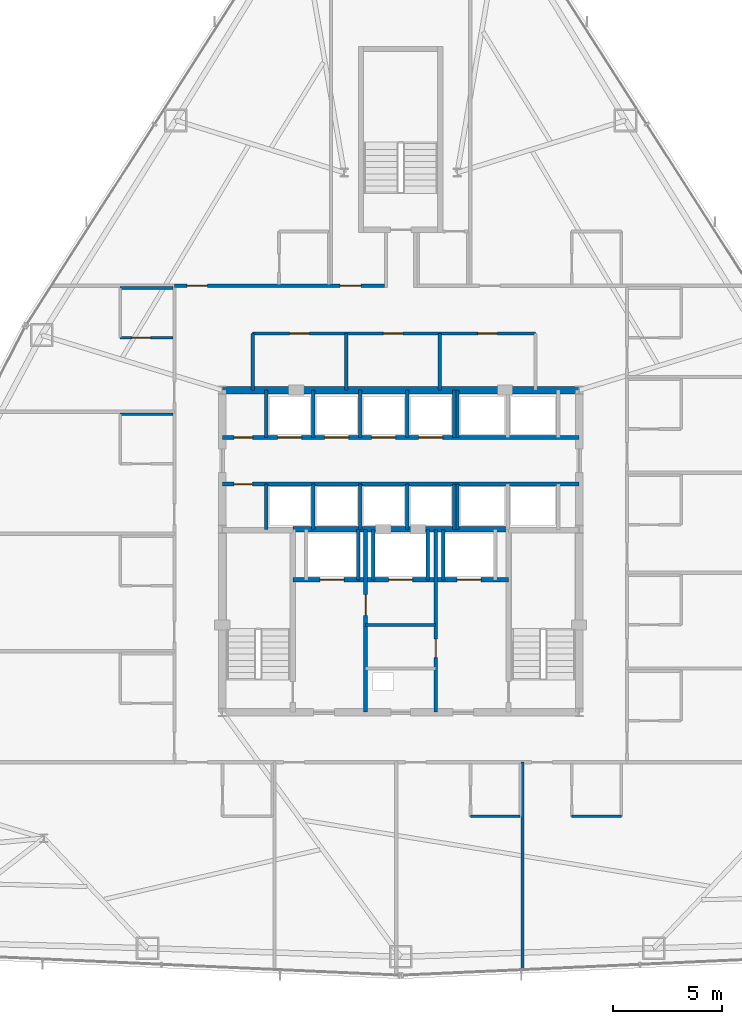
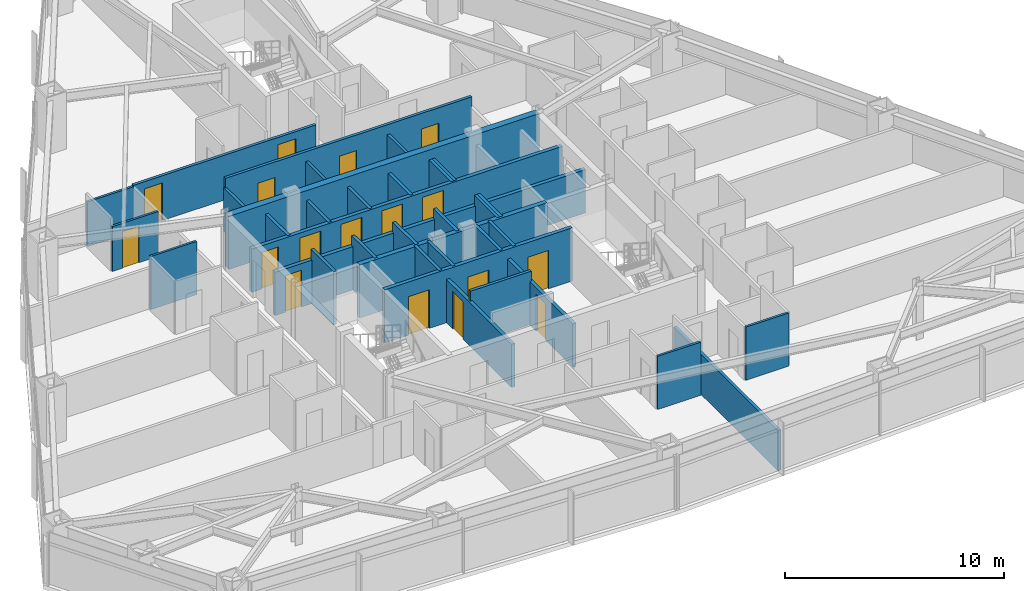
# One storey, part 10 of 13: 35 walls, 17 doors, 17 openings.
"""IFC4 building model written with IfcOpenShell, lengths in metres."""

from ifc_helpers import new_model, si_unit, direction, frame, frame_2d, origin, place, context, subcontext, project, spatial, rectangle, extrude, material, layer, layer_set, type_object, element, fill, save


model = new_model("IFC4")

# Units and contexts
model_context = context("Model", 3, precision=1e-05, world=origin(), true_north=direction((0.0, 1.0)))
body_context = subcontext(model_context, "Body", "Model", "MODEL_VIEW")
ifc_project = project(units=[si_unit("LENGTHUNIT", "METRE"), si_unit("AREAUNIT", "SQUARE_METRE"), si_unit("VOLUMEUNIT", "CUBIC_METRE"), si_unit("PLANEANGLEUNIT", "RADIAN"), si_unit("MASSUNIT", "GRAM", prefix="KILO")], contexts=[model_context])

# Site, building, storey
site_placement = place(None, origin())
site = spatial("IfcSite", under=ifc_project, at=site_placement, CompositionType="ELEMENT")
building_placement = place(site_placement, origin())
building = spatial("IfcBuilding", under=site, at=building_placement, Name="Varakhsha Concourse Tower", CompositionType="ELEMENT")
storey_placement = place(building_placement, frame((0.0, 0.0, 86.199951171875)))
storey = spatial("IfcBuildingStorey", under=building, at=storey_placement, Name="L24", CompositionType="ELEMENT", Elevation=86.199951171875)

# Wall
ifc_material_1 = material(Name="Concrete fc 65 MPa", Category="concrete")
ifc_layer_1 = layer(ifc_material_1, 0.35009765625, Name="WL-CORE-350")
ifc_layer_set_1 = layer_set([ifc_layer_1], Name="Concrete fc 65 MPa")
wall_type_1 = type_object("IfcWallType", Name="WL-CORE-350", PredefinedType="SHEAR", material=ifc_layer_set_1)
wall_1_placement = place(storey_placement, frame((31.800048828125, 31.199951171875, 0.0), z_axis=(0.0, 0.0, 1.0), x_axis=(1.0, 0.0, 0.0)))
element("IfcWall", 1, at=wall_1_placement, inside=storey, type_object=wall_type_1, Name="L24 Wall CWALL-N-L24", PredefinedType="SHEAR", context=body_context, shape_type="SweptSolid", body=[
    extrude(rectangle(XDim=16.39990234375, YDim=0.35009765625, at=frame_2d((8.199951171875, 0.0))), origin(), (0.0, 0.0, 1.0), 2.969970703125),
])

# Wall, opening, door
ifc_material_2 = material(Name="Fire-Rated Type X Gypsum Partition Assembly", Category="gypsum")
ifc_layer_2 = layer(ifc_material_2, 0.179931640625, Name="WL-FFLOB-180")
ifc_layer_set_2 = layer_set([ifc_layer_2], Name="Fire-Rated Type X Gypsum Partition Assembly")
wall_type_2 = type_object("IfcWallType", Name="WL-FFLOB-180", PredefinedType="PARTITIONING", material=ifc_layer_set_2)
wall_2_placement = place(storey_placement, frame((38.389892578125, 16.39990234375, 0.0), z_axis=(0.0, 0.0, 1.0), x_axis=(0.0, 1.0, 0.0)))
wall_2 = element("IfcWall", 2, at=wall_2_placement, inside=storey, type_object=wall_type_2, Name="L24 Wall FFW-1E-L24", PredefinedType="PARTITIONING", context=body_context, shape_type="SweptSolid", body=[
    extrude(rectangle(XDim=8.400146484375, YDim=0.179931640625, at=frame_2d((4.2001953125, 0.0))), origin(), (0.0, 0.0, 1.0), 2.421142578125),
])
opening_1_placement = place(wall_2_placement, frame((4.449951171875, 0.0, 0.0)))
opening_1 = element("IfcOpeningElement", 3, at=opening_1_placement, cuts=wall_2, Name="Opening DF-05", PredefinedType="OPENING", context=body_context, shape_type="SweptSolid", body=[
    extrude(rectangle(XDim=0.949951171875, YDim=2.10009765625, at=frame_2d((0.47509765625, 1.050048828125))), frame((0.0, 0.099853515625, 0.0), z_axis=(0.0, -1.0, 0.0), x_axis=(1.0, 0.0, 0.0)), (0.0, 0.0, 1.0), 0.199951171875),
])
ifc_material_3 = material(Name="Hollow Galvanised Steel Fire Door Assembly", Category="steel")
door_type_1 = type_object("IfcDoorType", Name="DR-FD60-950", OperationType="NOTDEFINED", PredefinedType="DOOR", material=ifc_material_3)
door_1_placement = place(opening_1_placement, origin())
door_1 = element("IfcDoor", 4, at=door_1_placement, inside=storey, type_object=door_type_1, Name="L24 Service Vestibule Door", OperationType="SINGLE_SWING_RIGHT", OverallHeight=2.10009765625, OverallWidth=0.949951171875, PredefinedType="DOOR", context=body_context, shape_type="SweptSolid", body=[
    extrude(rectangle(XDim=0.949951171875, YDim=2.10009765625, at=frame_2d((0.47509765625, 1.050048828125))), frame((0.0, 0.02490234375, 0.0), z_axis=(0.0, -1.0, 0.0), x_axis=(1.0, 0.0, 0.0)), (0.0, 0.0, 1.0), 0.050048828125),
])
fill(opening_1, door_1)

wall_3_placement = place(storey_placement, frame((41.610107421875, 16.39990234375, 0.0), z_axis=(0.0, 0.0, 1.0), x_axis=(0.0, 1.0, 0.0)))
wall_3 = element("IfcWall", 5, at=wall_3_placement, inside=storey, type_object=wall_type_2, Name="L24 Wall FFW-2W-L24", PredefinedType="PARTITIONING", context=body_context, shape_type="SweptSolid", body=[
    extrude(rectangle(XDim=8.400146484375, YDim=0.179931640625, at=frame_2d((4.2001953125, 0.0))), origin(), (0.0, 0.0, 1.0), 2.421142578125),
])
opening_2_placement = place(wall_3_placement, frame((2.5, 0.0, 0.0)))
opening_2 = element("IfcOpeningElement", 6, at=opening_2_placement, cuts=wall_3, Name="Opening DF-07", PredefinedType="OPENING", context=body_context, shape_type="SweptSolid", body=[
    extrude(rectangle(XDim=0.85009765625, YDim=2.050048828125, at=frame_2d((0.425048828125, 1.02490234375))), frame((0.0, 0.099853515625, 0.0), z_axis=(0.0, -1.0, 0.0), x_axis=(1.0, 0.0, 0.0)), (0.0, 0.0, 1.0), 0.199951171875),
])
door_type_2 = type_object("IfcDoorType", Name="DR-FD60-850", OperationType="NOTDEFINED", PredefinedType="DOOR", material=ifc_material_3)
door_2_placement = place(opening_2_placement, origin())
door_2 = element("IfcDoor", 7, at=door_2_placement, inside=storey, type_object=door_type_2, Name="L24 Telecoms Node Door", OperationType="SINGLE_SWING_LEFT", OverallHeight=2.050048828125, OverallWidth=0.85009765625, PredefinedType="DOOR", context=body_context, shape_type="SweptSolid", body=[
    extrude(rectangle(XDim=0.85009765625, YDim=2.050048828125, at=frame_2d((0.425048828125, 1.02490234375))), frame((0.0, 0.02490234375, 0.0), z_axis=(0.0, -1.0, 0.0), x_axis=(1.0, 0.0, 0.0)), (0.0, 0.0, 1.0), 0.050048828125),
])
fill(opening_2, door_2)

# Walls
ifc_material_4 = material(Name="Acoustic Gypsum Board Partition Assembly", Category="gypsum")
ifc_layer_3 = layer(ifc_material_4, 0.1201171875, Name="WL-PART-120")
ifc_layer_set_3 = layer_set([ifc_layer_3], Name="Acoustic Gypsum Board Partition Assembly")
wall_type_3 = type_object("IfcWallType", Name="WL-PART-120", PredefinedType="PARTITIONING", material=ifc_layer_set_3)
wall_4_placement = place(storey_placement, frame((43.2099609375, 11.610107421875, 0.0), z_axis=(0.0, 0.0, 1.0), x_axis=(1.0, 0.0, 0.0)))
element("IfcWall", 8, at=wall_4_placement, inside=storey, type_object=wall_type_3, Name="L24 Wall ENSW-S-L24-H03", PredefinedType="PARTITIONING", context=body_context, shape_type="SweptSolid", body=[
    extrude(rectangle(XDim=2.280029296875, YDim=0.1201171875, at=frame_2d((1.14013671875, 0.0))), origin(), (0.0, 0.0, 1.0), 2.969970703125),
])
wall_5_placement = place(storey_placement, frame((47.860107421875, 11.610107421875, 0.0), z_axis=(0.0, 0.0, 1.0), x_axis=(1.0, 0.0, 0.0)))
element("IfcWall", 9, at=wall_5_placement, inside=storey, type_object=wall_type_3, Name="L24 Wall ENSW-S-L24-H04", PredefinedType="PARTITIONING", context=body_context, shape_type="SweptSolid", body=[
    extrude(rectangle(XDim=2.27978515625, YDim=0.1201171875, at=frame_2d((1.139892578125, 0.0))), origin(), (0.0, 0.0, 1.0), 2.969970703125),
])
wall_6_placement = place(storey_placement, frame((27.110107421875, 30.090087890625, 0.0), z_axis=(0.0, 0.0, 1.0), x_axis=(1.0, 0.0, 0.0)))
element("IfcWall", 10, at=wall_6_placement, inside=storey, type_object=wall_type_3, Name="L24 Wall ENSW-N-L24-H07", PredefinedType="PARTITIONING", context=body_context, shape_type="SweptSolid", body=[
    extrude(rectangle(XDim=2.429931640625, YDim=0.1201171875, at=frame_2d((1.21484375, 0.0))), origin(), (0.0, 0.0, 1.0), 2.969970703125),
])

# Wall, opening, door
wall_7_placement = place(storey_placement, frame((27.110107421875, 33.610107421875, 0.0), z_axis=(0.0, 0.0, 1.0), x_axis=(1.0, 0.0, 0.0)))
wall_7 = element("IfcWall", 11, at=wall_7_placement, inside=storey, type_object=wall_type_3, Name="L24 Wall ENSW-S-L24-H08", PredefinedType="PARTITIONING", context=body_context, shape_type="SweptSolid", body=[
    extrude(rectangle(XDim=2.429931640625, YDim=0.1201171875, at=frame_2d((1.21484375, 0.0))), origin(), (0.0, 0.0, 1.0), 2.5029296875),
])
opening_3_placement = place(wall_7_placement, frame((0.550048828125, 0.0, 0.0)))
opening_3 = element("IfcOpeningElement", 12, at=opening_3_placement, cuts=wall_7, Name="Opening DI-01", PredefinedType="OPENING", context=body_context, shape_type="SweptSolid", body=[
    extrude(rectangle(XDim=0.85009765625, YDim=2.050048828125, at=frame_2d((0.425048828125, 1.02490234375))), frame((0.0, 0.070068359375, 0.0), z_axis=(0.0, -1.0, 0.0), x_axis=(1.0, 0.0, 0.0)), (0.0, 0.0, 1.0), 0.14013671875),
])
ifc_material_5 = material(Name="Architectural Walnut Acoustic Timber Door", Category="wood")
door_type_3 = type_object("IfcDoorType", Name="DR-INT-850", OperationType="NOTDEFINED", PredefinedType="DOOR", material=ifc_material_5)
door_3_placement = place(opening_3_placement, origin())
door_3 = element("IfcDoor", 13, at=door_3_placement, inside=storey, type_object=door_type_3, Name="L24 En-suite Bathroom Door L24-H08", OperationType="SINGLE_SWING_RIGHT", OverallHeight=2.050048828125, OverallWidth=0.85009765625, PredefinedType="DOOR", context=body_context, shape_type="SweptSolid", body=[
    extrude(rectangle(XDim=0.85009765625, YDim=2.050048828125, at=frame_2d((0.425048828125, 1.02490234375))), frame((0.0, 0.02490234375, 0.0), z_axis=(0.0, -1.0, 0.0), x_axis=(1.0, 0.0, 0.0)), (0.0, 0.0, 1.0), 0.050048828125),
])
fill(opening_3, door_3)

# Walls
wall_8_placement = place(storey_placement, frame((27.110107421875, 35.889892578125, 0.0), z_axis=(0.0, 0.0, 1.0), x_axis=(1.0, 0.0, 0.0)))
element("IfcWall", 14, at=wall_8_placement, inside=storey, type_object=wall_type_3, Name="L24 Wall ENSW-N-L24-H08", PredefinedType="PARTITIONING", context=body_context, shape_type="SweptSolid", body=[
    extrude(rectangle(XDim=2.429931640625, YDim=0.1201171875, at=frame_2d((1.21484375, 0.0))), origin(), (0.0, 0.0, 1.0), 2.5029296875),
])
ifc_layer_4 = layer(ifc_material_2, 0.14990234375, Name="WL-PART-150")
ifc_layer_set_4 = layer_set([ifc_layer_4], Name="Fire-Rated Type X Gypsum Partition Assembly")
wall_type_4 = type_object("IfcWallType", Name="WL-PART-150", PredefinedType="PARTITIONING", material=ifc_layer_set_4)
wall_9_placement = place(storey_placement, frame((38.389892578125, 20.39990234375, 0.0), z_axis=(0.0, 0.0, 1.0), x_axis=(1.0, 0.0, 0.0)))
element("IfcWall", 15, at=wall_9_placement, inside=storey, type_object=wall_type_4, Name="L24 Wall RSW-H2-L24", PredefinedType="PARTITIONING", context=body_context, shape_type="SweptSolid", body=[
    extrude(rectangle(XDim=3.22021484375, YDim=0.14990234375, at=frame_2d((1.610107421875, 0.0))), origin(), (0.0, 0.0, 1.0), 2.969970703125),
])

# Wall, openings, doors
wall_10_placement = place(storey_placement, frame((33.199951171875, 33.800048828125, 0.0), z_axis=(0.0, 0.0, 1.0), x_axis=(1.0, 0.0, 0.0)))
wall_10 = element("IfcWall", 16, at=wall_10_placement, inside=storey, type_object=wall_type_4, Name="L24 Wall NBOH-N-L24", PredefinedType="PARTITIONING", context=body_context, shape_type="SweptSolid", body=[
    extrude(rectangle(XDim=13.0, YDim=0.14990234375, at=frame_2d((6.5, 0.0))), origin(), (0.0, 0.0, 1.0), 2.969970703125),
])
opening_4_placement = place(wall_10_placement, frame((1.699951171875, 0.0, 0.0)))
opening_4 = element("IfcOpeningElement", 17, at=opening_4_placement, cuts=wall_10, Name="Opening DF-06", PredefinedType="OPENING", context=body_context, shape_type="SweptSolid", body=[
    extrude(rectangle(XDim=0.89990234375, YDim=2.10009765625, at=frame_2d((0.449951171875, 1.050048828125))), frame((0.0, 0.0849609375, 0.0), z_axis=(0.0, -1.0, 0.0), x_axis=(1.0, 0.0, 0.0)), (0.0, 0.0, 1.0), 0.169921875),
])
opening_5_placement = place(wall_10_placement, frame((6.0, 0.0, 0.0)))
opening_5 = element("IfcOpeningElement", 18, at=opening_5_placement, cuts=wall_10, Name="Opening DF-06", PredefinedType="OPENING", context=body_context, shape_type="SweptSolid", body=[
    extrude(rectangle(XDim=0.89990234375, YDim=2.10009765625, at=frame_2d((0.449951171875, 1.050048828125))), frame((0.0, 0.0849609375, 0.0), z_axis=(0.0, -1.0, 0.0), x_axis=(1.0, 0.0, 0.0)), (0.0, 0.0, 1.0), 0.169921875),
])
opening_6_placement = place(wall_10_placement, frame((10.35009765625, 0.0, 0.0)))
opening_6 = element("IfcOpeningElement", 19, at=opening_6_placement, cuts=wall_10, Name="Opening DF-06", PredefinedType="OPENING", context=body_context, shape_type="SweptSolid", body=[
    extrude(rectangle(XDim=0.89990234375, YDim=2.10009765625, at=frame_2d((0.449951171875, 1.050048828125))), frame((0.0, 0.0849609375, 0.0), z_axis=(0.0, -1.0, 0.0), x_axis=(1.0, 0.0, 0.0)), (0.0, 0.0, 1.0), 0.169921875),
])
door_type_4 = type_object("IfcDoorType", Name="DR-FD60-900", OperationType="NOTDEFINED", PredefinedType="DOOR", material=ifc_material_3)
door_4_placement = place(opening_4_placement, origin())
door_4 = element("IfcDoor", 20, at=door_4_placement, inside=storey, type_object=door_type_4, Name="L24 Housekeeping and Linen Room Door", OperationType="SINGLE_SWING_LEFT", OverallHeight=2.10009765625, OverallWidth=0.89990234375, PredefinedType="DOOR", context=body_context, shape_type="SweptSolid", body=[
    extrude(rectangle(XDim=0.89990234375, YDim=2.10009765625, at=frame_2d((0.449951171875, 1.050048828125))), frame((0.0, 0.02490234375, 0.0), z_axis=(0.0, -1.0, 0.0), x_axis=(1.0, 0.0, 0.0)), (0.0, 0.0, 1.0), 0.050048828125),
])
fill(opening_4, door_4)
door_5_placement = place(opening_5_placement, origin())
door_5 = element("IfcDoor", 21, at=door_5_placement, inside=storey, type_object=door_type_4, Name="L24 Accessible WC Door", OperationType="SINGLE_SWING_RIGHT", OverallHeight=2.10009765625, OverallWidth=0.89990234375, PredefinedType="DOOR", context=body_context, shape_type="SweptSolid", body=[
    extrude(rectangle(XDim=0.89990234375, YDim=2.10009765625, at=frame_2d((0.449951171875, 1.050048828125))), frame((0.0, 0.02490234375, 0.0), z_axis=(0.0, -1.0, 0.0), x_axis=(1.0, 0.0, 0.0)), (0.0, 0.0, 1.0), 0.050048828125),
])
fill(opening_5, door_5)
door_6_placement = place(opening_6_placement, origin())
door_6 = element("IfcDoor", 22, at=door_6_placement, inside=storey, type_object=door_type_4, Name="L24 Staff Restroom WC Door", OperationType="SINGLE_SWING_LEFT", OverallHeight=2.10009765625, OverallWidth=0.89990234375, PredefinedType="DOOR", context=body_context, shape_type="SweptSolid", body=[
    extrude(rectangle(XDim=0.89990234375, YDim=2.10009765625, at=frame_2d((0.449951171875, 1.050048828125))), frame((0.0, 0.02490234375, 0.0), z_axis=(0.0, -1.0, 0.0), x_axis=(1.0, 0.0, 0.0)), (0.0, 0.0, 1.0), 0.050048828125),
])
fill(opening_6, door_6)

# Walls
for number, where, z_axis, x_axis, name in (
    (23, (33.199951171875, 31.199951171875, 0.0), (0.0, 0.0, 1.0), (0.0, 1.0, 0.0), "L24 Wall NBOH-W-L24"),
    (24, (37.5, 31.199951171875, 0.0), (0.0, 0.0, 1.0), (0.0, 1.0, 0.0), "L24 Wall NBOH-D1-L24"),
    (25, (41.800048828125, 31.199951171875, 0.0), (0.0, 0.0, 1.0), (0.0, 1.0, 0.0), "L24 Wall NBOH-D2-L24"),
):
    element("IfcWall", number, at=place(storey_placement, frame(where, z_axis=z_axis, x_axis=x_axis)), inside=storey, type_object=wall_type_4, Name=name, PredefinedType="PARTITIONING", context=body_context, shape_type="SweptSolid", body=[
        extrude(rectangle(XDim=2.60009765625, YDim=0.14990234375, at=frame_2d((1.300048828125, 0.0))), origin(), (0.0, 0.0, 1.0), 2.421142578125),
    ])

# Wall, openings, doors
wall_11_placement = place(storey_placement, frame((29.60009765625, 36.0, 0.0), z_axis=(0.0, 0.0, 1.0), x_axis=(1.0, 0.0, 0.0)))
wall_11 = element("IfcWall", 26, at=wall_11_placement, inside=storey, type_object=wall_type_4, Name="L24 Wall CRW-N-L24", PredefinedType="PARTITIONING", context=body_context, shape_type="SweptSolid", body=[
    extrude(rectangle(XDim=9.64990234375, YDim=0.14990234375, at=frame_2d((4.824951171875, 0.0))), origin(), (0.0, 0.0, 1.0), 2.5029296875),
])
opening_7_placement = place(wall_11_placement, frame((0.570068359375, 0.0, 0.0)))
opening_7 = element("IfcOpeningElement", 27, at=opening_7_placement, cuts=wall_11, Name="Opening DF-05", PredefinedType="OPENING", context=body_context, shape_type="SweptSolid", body=[
    extrude(rectangle(XDim=0.949951171875, YDim=2.10009765625, at=frame_2d((0.47509765625, 1.050048828125))), frame((0.0, 0.0849609375, 0.0), z_axis=(0.0, -1.0, 0.0), x_axis=(1.0, 0.0, 0.0)), (0.0, 0.0, 1.0), 0.169921875),
])
opening_8_placement = place(wall_11_placement, frame((7.6201171875, 0.0, 0.0)))
opening_8 = element("IfcOpeningElement", 28, at=opening_8_placement, cuts=wall_11, Name="Opening DF-05", PredefinedType="OPENING", context=body_context, shape_type="SweptSolid", body=[
    extrude(rectangle(XDim=0.949951171875, YDim=2.10009765625, at=frame_2d((0.47509765625, 1.050048828125))), frame((0.0, 0.0849609375, 0.0), z_axis=(0.0, -1.0, 0.0), x_axis=(1.0, 0.0, 0.0)), (0.0, 0.0, 1.0), 0.169921875),
])
door_7_placement = place(opening_7_placement, origin())
door_7 = element("IfcDoor", 29, at=door_7_placement, inside=storey, type_object=door_type_1, Name="L24 Hotel Corner Suite L24-H14 Entry Door", OperationType="SINGLE_SWING_RIGHT", OverallHeight=2.10009765625, OverallWidth=0.949951171875, PredefinedType="DOOR", context=body_context, shape_type="SweptSolid", body=[
    extrude(rectangle(XDim=0.949951171875, YDim=2.10009765625, at=frame_2d((0.47509765625, 1.050048828125))), frame((0.0, 0.02490234375, 0.0), z_axis=(0.0, -1.0, 0.0), x_axis=(1.0, 0.0, 0.0)), (0.0, 0.0, 1.0), 0.050048828125),
])
fill(opening_7, door_7)
door_8_placement = place(opening_8_placement, origin())
door_8 = element("IfcDoor", 30, at=door_8_placement, inside=storey, type_object=door_type_1, Name="L24 Hotel Corner Suite L24-H15 Entry Door", OperationType="SINGLE_SWING_LEFT", OverallHeight=2.10009765625, OverallWidth=0.949951171875, PredefinedType="DOOR", context=body_context, shape_type="SweptSolid", body=[
    extrude(rectangle(XDim=0.949951171875, YDim=2.10009765625, at=frame_2d((0.47509765625, 1.050048828125))), frame((0.0, 0.02490234375, 0.0), z_axis=(0.0, -1.0, 0.0), x_axis=(1.0, 0.0, 0.0)), (0.0, 0.0, 1.0), 0.050048828125),
])
fill(opening_8, door_8)

# Wall
wall_12_placement = place(storey_placement, frame((45.60009765625, 4.559326171875, 0.0), z_axis=(0.0, 0.0, 1.0), x_axis=(0.0, 1.0, 0.0)))
element("IfcWall", 31, at=wall_12_placement, inside=storey, type_object=wall_type_4, Name="L24 Wall HDIV-S3-L24", PredefinedType="PARTITIONING", context=body_context, shape_type="SweptSolid", body=[
    extrude(rectangle(XDim=9.540771484375, YDim=0.14990234375, at=frame_2d((4.7705078125, 0.0))), origin(), (0.0, 0.0, 1.0), 2.258056640625),
])

# Wall, openings, doors
ifc_layer_5 = layer(ifc_material_2, 0.199951171875, Name="WL-SHAFT-220")
ifc_layer_set_5 = layer_set([ifc_layer_5], Name="Fire-Rated Type X Gypsum Partition Assembly")
wall_type_5 = type_object("IfcWallType", Name="WL-SHAFT-220", PredefinedType="SOLIDWALL", material=ifc_layer_set_5)
wall_13_placement = place(storey_placement, frame((35.044921875, 22.47998046875, 0.0), z_axis=(0.0, 0.0, 1.0), x_axis=(1.0, 0.0, 0.0)))
wall_13 = element("IfcWall", 32, at=wall_13_placement, inside=storey, type_object=wall_type_5, Name="L24 Wall FFW-NH-L24", PredefinedType="SOLIDWALL", context=body_context, shape_type="SweptSolid", body=[
    extrude(rectangle(XDim=9.91015625, YDim=0.199951171875, at=frame_2d((4.955078125, 0.0))), origin(), (0.0, 0.0, 1.0), 2.969970703125),
])
opening_9_placement = place(wall_13_placement, frame((1.2548828125, 0.0, 0.0)))
opening_9 = element("IfcOpeningElement", 33, at=opening_9_placement, cuts=wall_13, Name="Opening LD-FFL-1", PredefinedType="OPENING", context=body_context, shape_type="SweptSolid", body=[
    extrude(rectangle(XDim=1.10009765625, YDim=2.14990234375, at=frame_2d((0.550048828125, 1.074951171875))), frame((0.0, 0.10986328125, 0.0), z_axis=(0.0, -1.0, 0.0), x_axis=(1.0, 0.0, 0.0)), (0.0, 0.0, 1.0), 0.219970703125),
])
opening_10_placement = place(wall_13_placement, frame((7.554931640625, 0.0, 0.0)))
opening_10 = element("IfcOpeningElement", 34, at=opening_10_placement, cuts=wall_13, Name="Opening LD-FFL-2", PredefinedType="OPENING", context=body_context, shape_type="SweptSolid", body=[
    extrude(rectangle(XDim=1.10009765625, YDim=2.14990234375, at=frame_2d((0.550048828125, 1.074951171875))), frame((0.0, 0.10986328125, 0.0), z_axis=(0.0, -1.0, 0.0), x_axis=(1.0, 0.0, 0.0)), (0.0, 0.0, 1.0), 0.219970703125),
])
opening_11_placement = place(wall_13_placement, frame((4.405029296875, 0.0, 0.0)))
opening_11 = element("IfcOpeningElement", 35, at=opening_11_placement, cuts=wall_13, Name="Opening LD-SVL-1", PredefinedType="OPENING", context=body_context, shape_type="SweptSolid", body=[
    extrude(rectangle(XDim=1.10009765625, YDim=2.14990234375, at=frame_2d((0.550048828125, 1.074951171875))), frame((0.0, 0.10986328125, 0.0), z_axis=(0.0, -1.0, 0.0), x_axis=(1.0, 0.0, 0.0)), (0.0, 0.0, 1.0), 0.219970703125),
])
ifc_material_6 = material(Name="Brushed Austenitic Stainless Steel AISI 316", Category="steel")
door_type_5 = type_object("IfcDoorType", Name="DR-LD-1100", OperationType="DOUBLE_DOOR_SLIDING", PredefinedType="DOOR", material=ifc_material_6)
door_9_placement = place(opening_9_placement, origin())
door_9 = element("IfcDoor", 36, at=door_9_placement, inside=storey, type_object=door_type_5, Name="Lift Landing Door FFL-1 L24", OperationType="DOUBLE_DOOR_SLIDING", OverallHeight=2.14990234375, OverallWidth=1.10009765625, PredefinedType="DOOR", context=body_context, shape_type="SweptSolid", body=[
    extrude(rectangle(XDim=1.10009765625, YDim=2.14990234375, at=frame_2d((0.550048828125, 1.074951171875))), frame((0.0, 0.02490234375, 0.0), z_axis=(0.0, -1.0, 0.0), x_axis=(1.0, 0.0, 0.0)), (0.0, 0.0, 1.0), 0.050048828125),
])
fill(opening_9, door_9)
door_10_placement = place(opening_10_placement, origin())
door_10 = element("IfcDoor", 37, at=door_10_placement, inside=storey, type_object=door_type_5, Name="Lift Landing Door FFL-2 L24", OperationType="DOUBLE_DOOR_SLIDING", OverallHeight=2.14990234375, OverallWidth=1.10009765625, PredefinedType="DOOR", context=body_context, shape_type="SweptSolid", body=[
    extrude(rectangle(XDim=1.10009765625, YDim=2.14990234375, at=frame_2d((0.550048828125, 1.074951171875))), frame((0.0, 0.02490234375, 0.0), z_axis=(0.0, -1.0, 0.0), x_axis=(1.0, 0.0, 0.0)), (0.0, 0.0, 1.0), 0.050048828125),
])
fill(opening_10, door_10)
door_11_placement = place(opening_11_placement, origin())
door_11 = element("IfcDoor", 38, at=door_11_placement, inside=storey, type_object=door_type_5, Name="Lift Landing Door SVL-1 L24", OperationType="DOUBLE_DOOR_SLIDING", OverallHeight=2.14990234375, OverallWidth=1.10009765625, PredefinedType="DOOR", context=body_context, shape_type="SweptSolid", body=[
    extrude(rectangle(XDim=1.10009765625, YDim=2.14990234375, at=frame_2d((0.550048828125, 1.074951171875))), frame((0.0, 0.02490234375, 0.0), z_axis=(0.0, -1.0, 0.0), x_axis=(1.0, 0.0, 0.0)), (0.0, 0.0, 1.0), 0.050048828125),
])
fill(opening_11, door_11)

# Walls
for number, where, z_axis, x_axis, name in (
    (39, (38.050048828125, 22.47998046875, 0.0), (0.0, 0.0, 1.0), (0.0, 1.0, 0.0), "L24 Wall SHW-FFL-1-E-L24"),
    (40, (41.949951171875, 22.47998046875, 0.0), (0.0, 0.0, 1.0), (0.0, 1.0, 0.0), "L24 Wall SHW-FFL-2-W-L24"),
    (41, (38.75, 22.47998046875, 0.0), (0.0, 0.0, 1.0), (0.0, 1.0, 0.0), "L24 Wall SHW-SVL-1-W-L24"),
    (42, (41.25, 22.47998046875, 0.0), (0.0, 0.0, 1.0), (0.0, 1.0, 0.0), "L24 Wall SHW-SVL-1-E-L24"),
):
    element("IfcWall", number, at=place(storey_placement, frame(where, z_axis=z_axis, x_axis=x_axis)), inside=storey, type_object=wall_type_5, Name=name, PredefinedType="SOLIDWALL", context=body_context, shape_type="SweptSolid", body=[
        extrude(rectangle(XDim=2.320068359375, YDim=0.159912109375, at=frame_2d((1.16015625, 0.0))), origin(), (0.0, 0.0, 1.0), 2.969970703125),
    ])

# Wall, openings, doors
wall_14_placement = place(storey_placement, frame((31.800048828125, 29.02001953125, 0.0), z_axis=(0.0, 0.0, 1.0), x_axis=(1.0, 0.0, 0.0)))
wall_14 = element("IfcWall", 43, at=wall_14_placement, inside=storey, type_object=wall_type_5, Name="L24 Wall PLW-N-L24", PredefinedType="SOLIDWALL", context=body_context, shape_type="SweptSolid", body=[
    extrude(rectangle(XDim=16.39990234375, YDim=0.199951171875, at=frame_2d((8.199951171875, 0.0))), origin(), (0.0, 0.0, 1.0), 2.421142578125),
])
opening_12_placement = place(wall_14_placement, frame((0.550048828125, 0.0, 0.0)))
opening_12 = element("IfcOpeningElement", 44, at=opening_12_placement, cuts=wall_14, Name="Opening DF-07", PredefinedType="OPENING", context=body_context, shape_type="SweptSolid", body=[
    extrude(rectangle(XDim=0.85009765625, YDim=2.050048828125, at=frame_2d((0.425048828125, 1.02490234375))), frame((0.0, 0.10986328125, 0.0), z_axis=(0.0, -1.0, 0.0), x_axis=(1.0, 0.0, 0.0)), (0.0, 0.0, 1.0), 0.219970703125),
])
opening_13_placement = place(wall_14_placement, frame((2.550048828125, 0.0, 0.0)))
opening_13 = element("IfcOpeningElement", 45, at=opening_13_placement, cuts=wall_14, Name="Opening LD-LF-P01", PredefinedType="OPENING", context=body_context, shape_type="SweptSolid", body=[
    extrude(rectangle(XDim=1.10009765625, YDim=2.14990234375, at=frame_2d((0.550048828125, 1.074951171875))), frame((0.0, 0.10986328125, 0.0), z_axis=(0.0, -1.0, 0.0), x_axis=(1.0, 0.0, 0.0)), (0.0, 0.0, 1.0), 0.219970703125),
])
opening_14_placement = place(wall_14_placement, frame((4.7099609375, 0.0, 0.0)))
opening_14 = element("IfcOpeningElement", 46, at=opening_14_placement, cuts=wall_14, Name="Opening LD-LF-P02", PredefinedType="OPENING", context=body_context, shape_type="SweptSolid", body=[
    extrude(rectangle(XDim=1.10009765625, YDim=2.14990234375, at=frame_2d((0.550048828125, 1.074951171875))), frame((0.0, 0.10986328125, 0.0), z_axis=(0.0, -1.0, 0.0), x_axis=(1.0, 0.0, 0.0)), (0.0, 0.0, 1.0), 0.219970703125),
])
opening_15_placement = place(wall_14_placement, frame((6.8701171875, 0.0, 0.0)))
opening_15 = element("IfcOpeningElement", 47, at=opening_15_placement, cuts=wall_14, Name="Opening LD-LF-P03", PredefinedType="OPENING", context=body_context, shape_type="SweptSolid", body=[
    extrude(rectangle(XDim=1.10009765625, YDim=2.14990234375, at=frame_2d((0.550048828125, 1.074951171875))), frame((0.0, 0.10986328125, 0.0), z_axis=(0.0, -1.0, 0.0), x_axis=(1.0, 0.0, 0.0)), (0.0, 0.0, 1.0), 0.219970703125),
])
opening_16_placement = place(wall_14_placement, frame((9.030029296875, 0.0, 0.0)))
opening_16 = element("IfcOpeningElement", 48, at=opening_16_placement, cuts=wall_14, Name="Opening LD-LF-P04", PredefinedType="OPENING", context=body_context, shape_type="SweptSolid", body=[
    extrude(rectangle(XDim=1.10009765625, YDim=2.14990234375, at=frame_2d((0.550048828125, 1.074951171875))), frame((0.0, 0.10986328125, 0.0), z_axis=(0.0, -1.0, 0.0), x_axis=(1.0, 0.0, 0.0)), (0.0, 0.0, 1.0), 0.219970703125),
])
door_12_placement = place(opening_12_placement, origin())
door_12 = element("IfcDoor", 49, at=door_12_placement, inside=storey, type_object=door_type_2, Name="L24 Core Janitor Closet Door", OperationType="SINGLE_SWING_LEFT", OverallHeight=2.050048828125, OverallWidth=0.85009765625, PredefinedType="DOOR", context=body_context, shape_type="SweptSolid", body=[
    extrude(rectangle(XDim=0.85009765625, YDim=2.050048828125, at=frame_2d((0.425048828125, 1.02490234375))), frame((0.0, 0.02490234375, 0.0), z_axis=(0.0, -1.0, 0.0), x_axis=(1.0, 0.0, 0.0)), (0.0, 0.0, 1.0), 0.050048828125),
])
fill(opening_12, door_12)
door_13_placement = place(opening_13_placement, origin())
door_13 = element("IfcDoor", 50, at=door_13_placement, inside=storey, type_object=door_type_5, Name="Lift Landing Door LF-P01 L24", OperationType="DOUBLE_DOOR_SLIDING", OverallHeight=2.14990234375, OverallWidth=1.10009765625, PredefinedType="DOOR", context=body_context, shape_type="SweptSolid", body=[
    extrude(rectangle(XDim=1.10009765625, YDim=2.14990234375, at=frame_2d((0.550048828125, 1.074951171875))), frame((0.0, 0.02490234375, 0.0), z_axis=(0.0, -1.0, 0.0), x_axis=(1.0, 0.0, 0.0)), (0.0, 0.0, 1.0), 0.050048828125),
])
fill(opening_13, door_13)
door_14_placement = place(opening_14_placement, origin())
door_14 = element("IfcDoor", 51, at=door_14_placement, inside=storey, type_object=door_type_5, Name="Lift Landing Door LF-P02 L24", OperationType="DOUBLE_DOOR_SLIDING", OverallHeight=2.14990234375, OverallWidth=1.10009765625, PredefinedType="DOOR", context=body_context, shape_type="SweptSolid", body=[
    extrude(rectangle(XDim=1.10009765625, YDim=2.14990234375, at=frame_2d((0.550048828125, 1.074951171875))), frame((0.0, 0.02490234375, 0.0), z_axis=(0.0, -1.0, 0.0), x_axis=(1.0, 0.0, 0.0)), (0.0, 0.0, 1.0), 0.050048828125),
])
fill(opening_14, door_14)
door_15_placement = place(opening_15_placement, origin())
door_15 = element("IfcDoor", 52, at=door_15_placement, inside=storey, type_object=door_type_5, Name="Lift Landing Door LF-P03 L24", OperationType="DOUBLE_DOOR_SLIDING", OverallHeight=2.14990234375, OverallWidth=1.10009765625, PredefinedType="DOOR", context=body_context, shape_type="SweptSolid", body=[
    extrude(rectangle(XDim=1.10009765625, YDim=2.14990234375, at=frame_2d((0.550048828125, 1.074951171875))), frame((0.0, 0.02490234375, 0.0), z_axis=(0.0, -1.0, 0.0), x_axis=(1.0, 0.0, 0.0)), (0.0, 0.0, 1.0), 0.050048828125),
])
fill(opening_15, door_15)
door_16_placement = place(opening_16_placement, origin())
door_16 = element("IfcDoor", 53, at=door_16_placement, inside=storey, type_object=door_type_5, Name="Lift Landing Door LF-P04 L24", OperationType="DOUBLE_DOOR_SLIDING", OverallHeight=2.14990234375, OverallWidth=1.10009765625, PredefinedType="DOOR", context=body_context, shape_type="SweptSolid", body=[
    extrude(rectangle(XDim=1.10009765625, YDim=2.14990234375, at=frame_2d((0.550048828125, 1.074951171875))), frame((0.0, 0.02490234375, 0.0), z_axis=(0.0, -1.0, 0.0), x_axis=(1.0, 0.0, 0.0)), (0.0, 0.0, 1.0), 0.050048828125),
])
fill(opening_16, door_16)

# Wall, opening, door
wall_15_placement = place(storey_placement, frame((31.800048828125, 26.8798828125, 0.0), z_axis=(0.0, 0.0, 1.0), x_axis=(1.0, 0.0, 0.0)))
wall_15 = element("IfcWall", 54, at=wall_15_placement, inside=storey, type_object=wall_type_5, Name="L24 Wall PLW-S-L24", PredefinedType="SOLIDWALL", context=body_context, shape_type="SweptSolid", body=[
    extrude(rectangle(XDim=16.39990234375, YDim=0.199951171875, at=frame_2d((8.199951171875, 0.0))), origin(), (0.0, 0.0, 1.0), 2.421142578125),
])
opening_17_placement = place(wall_15_placement, frame((0.550048828125, 0.0, 0.0)))
opening_17 = element("IfcOpeningElement", 55, at=opening_17_placement, cuts=wall_15, Name="Opening DF-07", PredefinedType="OPENING", context=body_context, shape_type="SweptSolid", body=[
    extrude(rectangle(XDim=0.85009765625, YDim=2.050048828125, at=frame_2d((0.425048828125, 1.02490234375))), frame((0.0, 0.10986328125, 0.0), z_axis=(0.0, -1.0, 0.0), x_axis=(1.0, 0.0, 0.0)), (0.0, 0.0, 1.0), 0.219970703125),
])
door_17_placement = place(opening_17_placement, origin())
door_17 = element("IfcDoor", 56, at=door_17_placement, inside=storey, type_object=door_type_2, Name="L24 Core Telecoms Closet Door", OperationType="SINGLE_SWING_RIGHT", OverallHeight=2.050048828125, OverallWidth=0.85009765625, PredefinedType="DOOR", context=body_context, shape_type="SweptSolid", body=[
    extrude(rectangle(XDim=0.85009765625, YDim=2.050048828125, at=frame_2d((0.425048828125, 1.02490234375))), frame((0.0, 0.02490234375, 0.0), z_axis=(0.0, -1.0, 0.0), x_axis=(1.0, 0.0, 0.0)), (0.0, 0.0, 1.0), 0.050048828125),
])
fill(opening_17, door_17)

# Walls
wall_16_placement = place(storey_placement, frame((33.820068359375, 29.02001953125, 0.0), z_axis=(0.0, 0.0, 1.0), x_axis=(0.0, 1.0, 0.0)))
element("IfcWall", 57, at=wall_16_placement, inside=storey, type_object=wall_type_5, Name="L24 Wall WBOH-E1-L24", PredefinedType="SOLIDWALL", context=body_context, shape_type="SweptSolid", body=[
    extrude(rectangle(XDim=2.179931640625, YDim=0.159912109375, at=frame_2d((1.08984375, 0.0))), origin(), (0.0, 0.0, 1.0), 2.421142578125),
])
wall_17_placement = place(storey_placement, frame((33.820068359375, 24.800048828125, 0.0), z_axis=(0.0, 0.0, 1.0), x_axis=(0.0, 1.0, 0.0)))
element("IfcWall", 58, at=wall_17_placement, inside=storey, type_object=wall_type_5, Name="L24 Wall WBOH-E2-L24", PredefinedType="SOLIDWALL", context=body_context, shape_type="SweptSolid", body=[
    extrude(rectangle(XDim=2.079833984375, YDim=0.159912109375, at=frame_2d((1.0400390625, 0.0))), origin(), (0.0, 0.0, 1.0), 2.969970703125),
])
for number, where, z_axis, x_axis, name in (
    (59, (35.97998046875, 29.02001953125, 0.0), (0.0, 0.0, 1.0), (0.0, 1.0, 0.0), "L24 Wall SHW-LF-P01-E-L24"),
    (60, (38.139892578125, 29.02001953125, 0.0), (0.0, 0.0, 1.0), (0.0, 1.0, 0.0), "L24 Wall SHW-LF-P02-E-L24"),
    (61, (40.300048828125, 29.02001953125, 0.0), (0.0, 0.0, 1.0), (0.0, 1.0, 0.0), "L24 Wall SHW-LF-P03-E-L24"),
    (62, (42.4599609375, 29.02001953125, 0.0), (0.0, 0.0, 1.0), (0.0, 1.0, 0.0), "L24 Wall SHW-LF-P04-E-L24"),
):
    element("IfcWall", number, at=place(storey_placement, frame(where, z_axis=z_axis, x_axis=x_axis)), inside=storey, type_object=wall_type_5, Name=name, PredefinedType="SOLIDWALL", context=body_context, shape_type="SweptSolid", body=[
        extrude(rectangle(XDim=2.179931640625, YDim=0.159912109375, at=frame_2d((1.08984375, 0.0))), origin(), (0.0, 0.0, 1.0), 2.421142578125),
    ])
for number, where, z_axis, x_axis, name in (
    (63, (35.97998046875, 24.800048828125, 0.0), (0.0, 0.0, 1.0), (0.0, 1.0, 0.0), "L24 Wall SHW-LF-P05-E-L24"),
    (64, (38.139892578125, 24.800048828125, 0.0), (0.0, 0.0, 1.0), (0.0, 1.0, 0.0), "L24 Wall SHW-LF-P06-E-L24"),
    (65, (40.300048828125, 24.800048828125, 0.0), (0.0, 0.0, 1.0), (0.0, 1.0, 0.0), "L24 Wall SHW-LF-P07-E-L24"),
    (66, (42.4599609375, 24.800048828125, 0.0), (0.0, 0.0, 1.0), (0.0, 1.0, 0.0), "L24 Wall SHW-LF-P08-E-L24"),
):
    element("IfcWall", number, at=place(storey_placement, frame(where, z_axis=z_axis, x_axis=x_axis)), inside=storey, type_object=wall_type_5, Name=name, PredefinedType="SOLIDWALL", context=body_context, shape_type="SweptSolid", body=[
        extrude(rectangle(XDim=2.079833984375, YDim=0.159912109375, at=frame_2d((1.0400390625, 0.0))), origin(), (0.0, 0.0, 1.0), 2.969970703125),
    ])
wall_18_placement = place(storey_placement, frame((42.60009765625, 29.02001953125, 0.0), z_axis=(0.0, 0.0, 1.0), x_axis=(0.0, 1.0, 0.0)))
element("IfcWall", 67, at=wall_18_placement, inside=storey, type_object=wall_type_5, Name="L24 Wall SHW-LF-P09-W-L24", PredefinedType="SOLIDWALL", context=body_context, shape_type="SweptSolid", body=[
    extrude(rectangle(XDim=2.179931640625, YDim=0.159912109375, at=frame_2d((1.08984375, 0.0))), origin(), (0.0, 0.0, 1.0), 2.421142578125),
])
wall_19_placement = place(storey_placement, frame((42.60009765625, 24.800048828125, 0.0), z_axis=(0.0, 0.0, 1.0), x_axis=(0.0, 1.0, 0.0)))
element("IfcWall", 68, at=wall_19_placement, inside=storey, type_object=wall_type_5, Name="L24 Wall SHW-LF-P11-W-L24", PredefinedType="SOLIDWALL", context=body_context, shape_type="SweptSolid", body=[
    extrude(rectangle(XDim=2.079833984375, YDim=0.159912109375, at=frame_2d((1.0400390625, 0.0))), origin(), (0.0, 0.0, 1.0), 2.969970703125),
])
ifc_material_7 = material(Name="Concrete fc 45 MPa", Category="concrete")
ifc_layer_6 = layer(ifc_material_7, 0.25, Name="WL-STAIR-250")
ifc_layer_set_6 = layer_set([ifc_layer_6], Name="Concrete fc 45 MPa")
wall_type_6 = type_object("IfcWallType", Name="WL-STAIR-250", PredefinedType="SHEAR", material=ifc_layer_set_6)
wall_20_placement = place(storey_placement, frame((35.044921875, 24.800048828125, 0.0), z_axis=(0.0, 0.0, 1.0), x_axis=(1.0, 0.0, 0.0)))
element("IfcWall", 69, at=wall_20_placement, inside=storey, type_object=wall_type_6, Name="L24 Wall SWALL-MID-H-L24", PredefinedType="SHEAR", context=body_context, shape_type="SweptSolid", body=[
    extrude(rectangle(XDim=9.91015625, YDim=0.25, at=frame_2d((4.955078125, 0.0))), origin(), (0.0, 0.0, 1.0), 2.969970703125),
])

save(model, "model.ifc")
